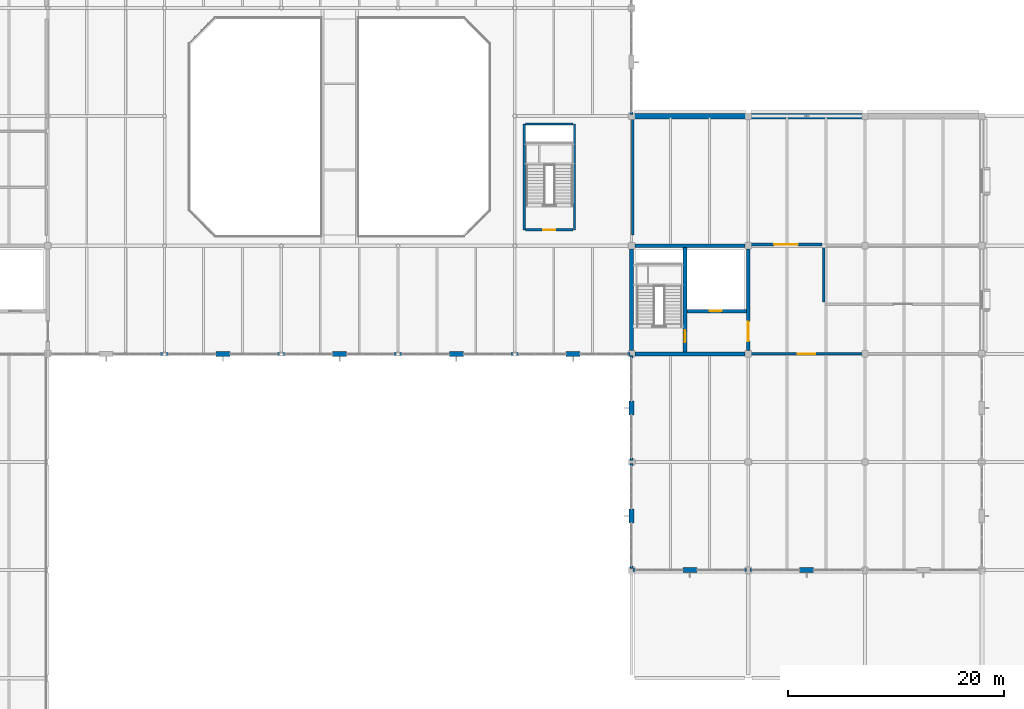
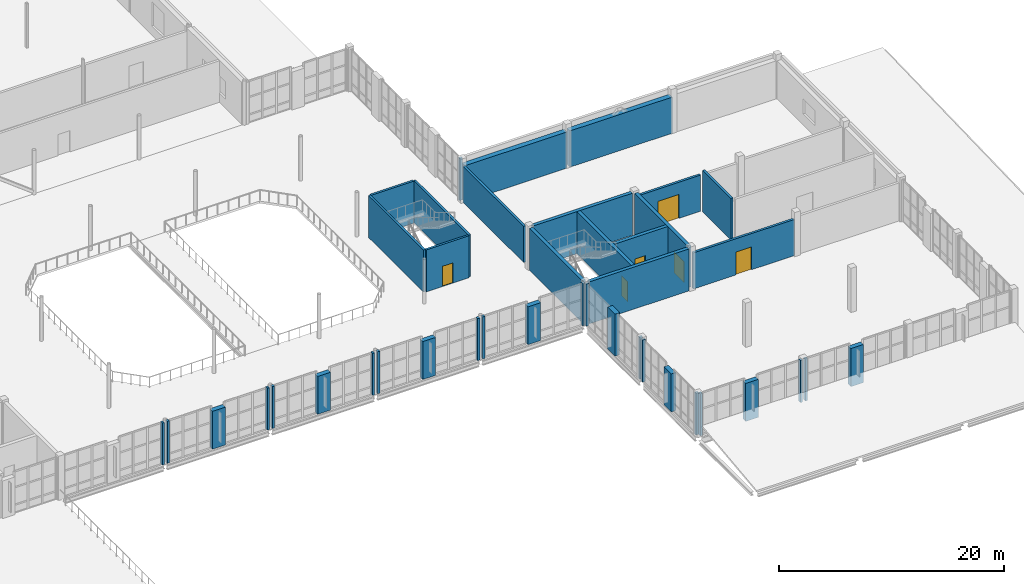
# One storey, part 85 of 100: 41 walls, 6 doors, 6 openings.
"""IFC4 building model written with IfcOpenShell, lengths in metres."""

from ifc_helpers import new_model, si_unit, direction, frame, frame_2d, origin, place, context, subcontext, project, spatial, rectangle, extrude, material, layer, layer_set, type_object, element, fill, save


model = new_model("IFC4")

# Units and contexts
model_context = context("Model", 3, precision=1e-05, world=origin(), true_north=direction((0.0, 1.0)))
body_context = subcontext(model_context, "Body", "Model", "MODEL_VIEW")
ifc_project = project(units=[si_unit("LENGTHUNIT", "METRE"), si_unit("AREAUNIT", "SQUARE_METRE"), si_unit("VOLUMEUNIT", "CUBIC_METRE"), si_unit("PLANEANGLEUNIT", "RADIAN"), si_unit("MASSUNIT", "GRAM", prefix="KILO")], contexts=[model_context])

# Site, building, storey
site_placement = place(None, origin())
site = spatial("IfcSite", under=ifc_project, at=site_placement, CompositionType="ELEMENT")
building_placement = place(site_placement, origin())
building = spatial("IfcBuilding", under=site, at=building_placement, Name="Tasgan Crest Museum", CompositionType="ELEMENT")
storey_placement = place(building_placement, frame((0.0, 0.0, 9.60009765625)))
storey = spatial("IfcBuildingStorey", under=building, at=storey_placement, Name="L02", CompositionType="ELEMENT", Elevation=9.60009765625)

# Walls
ifc_material_1 = material(Name="Concrete C40/50", Category="concrete")
ifc_layer_1 = layer(ifc_material_1, 0.35009765625, Name="WL-CORE-350")
ifc_layer_set_1 = layer_set([ifc_layer_1], Name="Concrete C40/50")
wall_type_1 = type_object("IfcWallType", Name="WL-CORE-350", PredefinedType="SHEAR", material=ifc_layer_set_1)
for number, where, z_axis, x_axis, name in (
    (1, (108.300048828125, 40.0, 0.0), (0.0, 0.0, 1.0), (1.0, 0.0, 0.0), "East Conservation Core south shear wall L02"),
    (2, (108.300048828125, 50.0, 0.0), (0.0, 0.0, 1.0), (1.0, 0.0, 0.0), "East Conservation Core north shear wall L02"),
):
    element("IfcWall", number, at=place(storey_placement, frame(where, z_axis=z_axis, x_axis=x_axis)), inside=storey, type_object=wall_type_1, Name=name, PredefinedType="SHEAR", context=body_context, shape_type="SweptSolid", body=[
        extrude(rectangle(XDim=10.199951171875, YDim=0.35009765625, at=frame_2d((5.10009765625, 0.0))), origin(), (0.0, 0.0, 1.0), 4.559814453125),
    ])
wall_1_placement = place(storey_placement, frame((108.0, 40.300048828125, 0.0), z_axis=(0.0, 0.0, 1.0), x_axis=(0.0, 1.0, 0.0)))
element("IfcWall", 3, at=wall_1_placement, inside=storey, type_object=wall_type_1, Name="East Conservation Core west shear wall L02", PredefinedType="SHEAR", context=body_context, shape_type="SweptSolid", body=[
    extrude(rectangle(XDim=9.39990234375, YDim=0.35009765625, at=frame_2d((4.699951171875, 0.0))), origin(), (0.0, 0.0, 1.0), 4.559814453125),
])

# Wall, opening, door
wall_2_placement = place(storey_placement, frame((118.800048828125, 40.300048828125, 0.0), z_axis=(0.0, 0.0, 1.0), x_axis=(0.0, 1.0, 0.0)))
wall_2 = element("IfcWall", 4, at=wall_2_placement, inside=storey, type_object=wall_type_1, Name="East Conservation Core east shear wall L02", PredefinedType="SHEAR", context=body_context, shape_type="SweptSolid", body=[
    extrude(rectangle(XDim=9.39990234375, YDim=0.35009765625, at=frame_2d((4.699951171875, 0.0))), origin(), (0.0, 0.0, 1.0), 4.559814453125),
])
opening_1_placement = place(wall_2_placement, frame((0.8798828125, 0.0, 0.0)))
opening_1 = element("IfcOpeningElement", 5, at=opening_1_placement, cuts=wall_2, Name="Opening LD-SE-L02", PredefinedType="OPENING", context=body_context, shape_type="SweptSolid", body=[
    extrude(rectangle(XDim=1.800048828125, YDim=2.25, at=frame_2d((0.89990234375, 1.125))), frame((0.0, 0.18505859375, 0.0), z_axis=(0.0, -1.0, 0.0), x_axis=(1.0, 0.0, 0.0)), (0.0, 0.0, 1.0), 0.3701171875),
])
ifc_material_2 = material(Name="Fire-Rated Double Lobby Door")
door_type_1 = type_object("IfcDoorType", Name="DR-FD2-1800", OperationType="NOTDEFINED", PredefinedType="DOOR", material=ifc_material_2)
door_1_placement = place(opening_1_placement, origin())
door_1 = element("IfcDoor", 6, at=door_1_placement, inside=storey, type_object=door_type_1, Name="East Conservation Core lobby door L02", OperationType="DOUBLE_DOOR_SINGLE_SWING", OverallHeight=2.25, OverallWidth=1.800048828125, PredefinedType="DOOR", context=body_context, shape_type="SweptSolid", body=[
    extrude(rectangle(XDim=1.800048828125, YDim=2.25, at=frame_2d((0.89990234375, 1.125))), frame((0.0, 0.02490234375, 0.0), z_axis=(0.0, -1.0, 0.0), x_axis=(1.0, 0.0, 0.0)), (0.0, 0.0, 1.0), 0.050048828125),
])
fill(opening_1, door_1)

wall_3_placement = place(storey_placement, frame((112.949951171875, 40.175048828125, 0.0), z_axis=(0.0, 0.0, 1.0), x_axis=(0.0, 1.0, 0.0)))
wall_3 = element("IfcWall", 7, at=wall_3_placement, inside=storey, type_object=wall_type_1, Name="East Conservation Core stair-lobby shear wall L02", PredefinedType="SHEAR", context=body_context, shape_type="SweptSolid", body=[
    extrude(rectangle(XDim=9.64990234375, YDim=0.35009765625, at=frame_2d((4.824951171875, 0.0))), origin(), (0.0, 0.0, 1.0), 4.559814453125),
])
opening_2_placement = place(wall_3_placement, frame((0.89990234375, 0.0, 0.0)))
opening_2 = element("IfcOpeningElement", 8, at=opening_2_placement, cuts=wall_3, Name="Opening SD-SE-L02", PredefinedType="OPENING", context=body_context, shape_type="SweptSolid", body=[
    extrude(rectangle(XDim=1.10009765625, YDim=2.199951171875, at=frame_2d((0.550048828125, 1.10009765625))), frame((0.0, 0.18505859375, 0.0), z_axis=(0.0, -1.0, 0.0), x_axis=(1.0, 0.0, 0.0)), (0.0, 0.0, 1.0), 0.3701171875),
])
ifc_material_3 = material(Name="Fire-Rated Steel Door", Category="steel")
door_type_2 = type_object("IfcDoorType", Name="DR-FD1-1100", OperationType="NOTDEFINED", PredefinedType="DOOR", material=ifc_material_3)
door_2_placement = place(opening_2_placement, origin())
door_2 = element("IfcDoor", 9, at=door_2_placement, inside=storey, type_object=door_type_2, Name="East Conservation Core stair door L02", OperationType="SINGLE_SWING_LEFT", OverallHeight=2.199951171875, OverallWidth=1.10009765625, PredefinedType="DOOR", context=body_context, shape_type="SweptSolid", body=[
    extrude(rectangle(XDim=1.10009765625, YDim=2.199951171875, at=frame_2d((0.550048828125, 1.10009765625))), frame((0.0, 0.02490234375, 0.0), z_axis=(0.0, -1.0, 0.0), x_axis=(1.0, 0.0, 0.0)), (0.0, 0.0, 1.0), 0.050048828125),
])
fill(opening_2, door_2)

wall_4_placement = place(storey_placement, frame((113.1298828125, 43.949951171875, 0.0), z_axis=(0.0, 0.0, 1.0), x_axis=(1.0, 0.0, 0.0)))
wall_4 = element("IfcWall", 10, at=wall_4_placement, inside=storey, type_object=wall_type_1, Name="East Conservation Core lift-shaft wall L02", PredefinedType="SHEAR", context=body_context, shape_type="SweptSolid", body=[
    extrude(rectangle(XDim=5.490234375, YDim=0.35009765625, at=frame_2d((2.7451171875, 0.0))), origin(), (0.0, 0.0, 1.0), 4.559814453125),
])
opening_3_placement = place(wall_4_placement, frame((2.10009765625, 0.0, 0.0)))
opening_3 = element("IfcOpeningElement", 11, at=opening_3_placement, cuts=wall_4, Name="Opening LD-PL2", PredefinedType="OPENING", context=body_context, shape_type="SweptSolid", body=[
    extrude(rectangle(XDim=1.10009765625, YDim=2.199951171875, at=frame_2d((0.550048828125, 1.10009765625))), frame((0.0, 0.18505859375, 0.0), z_axis=(0.0, -1.0, 0.0), x_axis=(1.0, 0.0, 0.0)), (0.0, 0.0, 1.0), 0.3701171875),
])
ifc_material_4 = material(Name="Brushed Bronze Passenger Lift Landing Door")
door_type_3 = type_object("IfcDoorType", Name="LD-PAX-1100", OperationType="NOTDEFINED", PredefinedType="DOOR", material=ifc_material_4)
door_3_placement = place(opening_3_placement, origin())
door_3 = element("IfcDoor", 12, at=door_3_placement, inside=storey, type_object=door_type_3, Name="Lift landing sliding door PL2 L02", OperationType="DOUBLE_DOOR_SLIDING", OverallHeight=2.199951171875, OverallWidth=1.10009765625, PredefinedType="DOOR", context=body_context, shape_type="SweptSolid", body=[
    extrude(rectangle(XDim=1.10009765625, YDim=2.199951171875, at=frame_2d((0.550048828125, 1.10009765625))), frame((0.0, 0.02490234375, 0.0), z_axis=(0.0, -1.0, 0.0), x_axis=(1.0, 0.0, 0.0)), (0.0, 0.0, 1.0), 0.050048828125),
])
fill(opening_3, door_3)

# Walls
ifc_material_5 = material(Name="Precast concrete C40/50", Category="concrete")
ifc_layer_2 = layer(ifc_material_5, 0.320068359375, Name="WL-EXT-CLER-320")
ifc_layer_set_2 = layer_set([ifc_layer_2], Name="Precast concrete C40/50")
wall_type_2 = type_object("IfcWallType", Name="WL-EXT-CLER-320", PredefinedType="STANDARD", material=ifc_layer_set_2)
for number, where, z_axis, x_axis, name in (
    (13, (108.0, 39.85498046875, 0.0), (0.0, 0.0, 1.0), (0.0, -1.0, 0.0), "Curtain wall jamb closure L02 JL"),
    (14, (108.0, 30.3701171875, 0.0), (0.0, 0.0, 1.0), (0.0, -1.0, 0.0), "Curtain wall jamb closure L02 JR"),
    (15, (108.0, 29.85498046875, 0.0), (0.0, 0.0, 1.0), (0.0, -1.0, 0.0), "Curtain wall jamb closure L02 JL"),
    (16, (108.0, 20.3701171875, 0.0), (0.0, 0.0, 1.0), (0.0, -1.0, 0.0), "Curtain wall jamb closure L02 JR"),
    (17, (108.14501953125, 20.0, 0.0), (0.0, 0.0, 1.0), (1.0, 0.0, 0.0), "Curtain wall jamb closure L02 JL"),
    (18, (118.429931640625, 20.0, 0.0), (0.0, 0.0, 1.0), (1.0, 0.0, 0.0), "Curtain wall jamb closure L02 JR"),
):
    element("IfcWall", number, at=place(storey_placement, frame(where, z_axis=z_axis, x_axis=x_axis)), inside=storey, type_object=wall_type_2, Name=name, PredefinedType="STANDARD", context=body_context, shape_type="SweptSolid", body=[
        extrude(rectangle(XDim=0.22509765625, YDim=0.300048828125, at=frame_2d((0.112548828125, 0.0))), origin(), (0.0, 0.0, 1.0), 4.559814453125),
    ])
wall_5_placement = place(storey_placement, frame((118.945068359375, 20.0, 0.0), z_axis=(0.0, 0.0, 1.0), x_axis=(1.0, 0.0, 0.0)))
element("IfcWall", 19, at=wall_5_placement, inside=storey, type_object=wall_type_2, Name="Curtain wall jamb closure L02 JL", PredefinedType="STANDARD", context=body_context, shape_type="SweptSolid", body=[
    extrude(rectangle(XDim=0.224853515625, YDim=0.300048828125, at=frame_2d((0.1123046875, 0.0))), origin(), (0.0, 0.0, 1.0), 4.559814453125),
])
for number, where, z_axis, x_axis, name in (
    (20, (108.0, 62.14501953125, 0.0), (0.0, 0.0, 1.0), (0.0, 1.0, 0.0), "Curtain wall jamb closure L02 JL"),
    (21, (64.429931640625, 40.0, 0.0), (0.0, 0.0, 1.0), (1.0, 0.0, 0.0), "Curtain wall jamb closure L02 JR"),
):
    element("IfcWall", number, at=place(storey_placement, frame(where, z_axis=z_axis, x_axis=x_axis)), inside=storey, type_object=wall_type_2, Name=name, PredefinedType="STANDARD", context=body_context, shape_type="SweptSolid", body=[
        extrude(rectangle(XDim=0.22509765625, YDim=0.300048828125, at=frame_2d((0.112548828125, 0.0))), origin(), (0.0, 0.0, 1.0), 4.559814453125),
    ])
wall_6_placement = place(storey_placement, frame((64.945068359375, 40.0, 0.0), z_axis=(0.0, 0.0, 1.0), x_axis=(1.0, 0.0, 0.0)))
element("IfcWall", 22, at=wall_6_placement, inside=storey, type_object=wall_type_2, Name="Curtain wall jamb closure L02 JL", PredefinedType="STANDARD", context=body_context, shape_type="SweptSolid", body=[
    extrude(rectangle(XDim=0.224853515625, YDim=0.300048828125, at=frame_2d((0.1123046875, 0.0))), origin(), (0.0, 0.0, 1.0), 4.559814453125),
])
wall_7_placement = place(storey_placement, frame((75.22998046875, 40.0, 0.0), z_axis=(0.0, 0.0, 1.0), x_axis=(1.0, 0.0, 0.0)))
element("IfcWall", 23, at=wall_7_placement, inside=storey, type_object=wall_type_2, Name="Curtain wall jamb closure L02 JR", PredefinedType="STANDARD", context=body_context, shape_type="SweptSolid", body=[
    extrude(rectangle(XDim=0.22509765625, YDim=0.300048828125, at=frame_2d((0.112548828125, 0.0))), origin(), (0.0, 0.0, 1.0), 4.559814453125),
])
for number, where, z_axis, x_axis, name in (
    (24, (75.7451171875, 40.0, 0.0), (0.0, 0.0, 1.0), (1.0, 0.0, 0.0), "Curtain wall jamb closure L02 JL"),
    (25, (86.030029296875, 40.0, 0.0), (0.0, 0.0, 1.0), (1.0, 0.0, 0.0), "Curtain wall jamb closure L02 JR"),
):
    element("IfcWall", number, at=place(storey_placement, frame(where, z_axis=z_axis, x_axis=x_axis)), inside=storey, type_object=wall_type_2, Name=name, PredefinedType="STANDARD", context=body_context, shape_type="SweptSolid", body=[
        extrude(rectangle(XDim=0.224853515625, YDim=0.300048828125, at=frame_2d((0.1123046875, 0.0))), origin(), (0.0, 0.0, 1.0), 4.559814453125),
    ])
wall_8_placement = place(storey_placement, frame((86.544921875, 40.0, 0.0), z_axis=(0.0, 0.0, 1.0), x_axis=(1.0, 0.0, 0.0)))
element("IfcWall", 26, at=wall_8_placement, inside=storey, type_object=wall_type_2, Name="Curtain wall jamb closure L02 JL", PredefinedType="STANDARD", context=body_context, shape_type="SweptSolid", body=[
    extrude(rectangle(XDim=0.22509765625, YDim=0.300048828125, at=frame_2d((0.112548828125, 0.0))), origin(), (0.0, 0.0, 1.0), 4.559814453125),
])
wall_9_placement = place(storey_placement, frame((96.830078125, 40.0, 0.0), z_axis=(0.0, 0.0, 1.0), x_axis=(1.0, 0.0, 0.0)))
element("IfcWall", 27, at=wall_9_placement, inside=storey, type_object=wall_type_2, Name="Curtain wall jamb closure L02 JR", PredefinedType="STANDARD", context=body_context, shape_type="SweptSolid", body=[
    extrude(rectangle(XDim=0.224853515625, YDim=0.300048828125, at=frame_2d((0.1123046875, 0.0))), origin(), (0.0, 0.0, 1.0), 4.559814453125),
])
for number, where, z_axis, x_axis, name in (
    (28, (97.344970703125, 40.0, 0.0), (0.0, 0.0, 1.0), (1.0, 0.0, 0.0), "Curtain wall jamb closure L02 JL"),
    (29, (107.6298828125, 40.0, 0.0), (0.0, 0.0, 1.0), (1.0, 0.0, 0.0), "Curtain wall jamb closure L02 JR"),
):
    element("IfcWall", number, at=place(storey_placement, frame(where, z_axis=z_axis, x_axis=x_axis)), inside=storey, type_object=wall_type_2, Name=name, PredefinedType="STANDARD", context=body_context, shape_type="SweptSolid", body=[
        extrude(rectangle(XDim=0.22509765625, YDim=0.300048828125, at=frame_2d((0.112548828125, 0.0))), origin(), (0.0, 0.0, 1.0), 4.559814453125),
    ])
ifc_material_6 = material(Name="Precast concrete C40/50", Category="concrete")
ifc_layer_3 = layer(ifc_material_6, 0.47998046875, Name="WL-EXT-GRAN-480")
ifc_layer_set_3 = layer_set([ifc_layer_3], Name="Precast concrete C40/50")
wall_type_3 = type_object("IfcWallType", Name="WL-EXT-GRAN-480", PredefinedType="STANDARD", material=ifc_layer_set_3)
wall_10_placement = place(storey_placement, frame((108.0, 35.64990234375, 0.0), z_axis=(0.0, 0.0, 1.0), x_axis=(0.0, -1.0, 0.0)))
element("IfcWall", 30, at=wall_10_placement, inside=storey, type_object=wall_type_3, Name="Postmodern facade stone pier L02", PredefinedType="STANDARD", context=body_context, shape_type="SweptSolid", body=[
    extrude(rectangle(XDim=1.2998046875, YDim=0.47998046875, at=frame_2d((0.64990234375, 0.0))), origin(), (0.0, 0.0, 1.0), 4.559814453125),
])
wall_11_placement = place(storey_placement, frame((108.0, 25.64990234375, 0.0), z_axis=(0.0, 0.0, 1.0), x_axis=(0.0, -1.0, 0.0)))
element("IfcWall", 31, at=wall_11_placement, inside=storey, type_object=wall_type_3, Name="Postmodern facade stone pier L02", PredefinedType="STANDARD", context=body_context, shape_type="SweptSolid", body=[
    extrude(rectangle(XDim=1.2998046875, YDim=0.47998046875, at=frame_2d((0.64990234375, 0.0))), origin(), (0.0, 0.0, 1.0), 4.1298828125),
])
for number, where, z_axis, x_axis, name in (
    (32, (112.75, 20.0, 0.0), (0.0, 0.0, 1.0), (1.0, 0.0, 0.0), "Postmodern facade stone pier L02"),
    (33, (123.550048828125, 20.0, 0.0), (0.0, 0.0, 1.0), (1.0, 0.0, 0.0), "Postmodern facade stone pier L02"),
):
    element("IfcWall", number, at=place(storey_placement, frame(where, z_axis=z_axis, x_axis=x_axis)), inside=storey, type_object=wall_type_3, Name=name, PredefinedType="STANDARD", context=body_context, shape_type="SweptSolid", body=[
        extrude(rectangle(XDim=1.300048828125, YDim=0.47998046875, at=frame_2d((0.64990234375, 0.0))), origin(), (0.0, 0.0, 1.0), 4.1298828125),
    ])
wall_12_placement = place(storey_placement, frame((69.550048828125, 40.0, 0.0), z_axis=(0.0, 0.0, 1.0), x_axis=(1.0, 0.0, 0.0)))
element("IfcWall", 34, at=wall_12_placement, inside=storey, type_object=wall_type_3, Name="Postmodern facade stone pier L02", PredefinedType="STANDARD", context=body_context, shape_type="SweptSolid", body=[
    extrude(rectangle(XDim=1.300048828125, YDim=0.47998046875, at=frame_2d((0.64990234375, 0.0))), origin(), (0.0, 0.0, 1.0), 4.10986328125),
])
wall_13_placement = place(storey_placement, frame((80.35009765625, 40.0, 0.0), z_axis=(0.0, 0.0, 1.0), x_axis=(1.0, 0.0, 0.0)))
element("IfcWall", 35, at=wall_13_placement, inside=storey, type_object=wall_type_3, Name="Postmodern facade stone pier L02", PredefinedType="STANDARD", context=body_context, shape_type="SweptSolid", body=[
    extrude(rectangle(XDim=1.2998046875, YDim=0.47998046875, at=frame_2d((0.64990234375, 0.0))), origin(), (0.0, 0.0, 1.0), 4.10986328125),
])
for number, where, z_axis, x_axis, name in (
    (36, (91.14990234375, 40.0, 0.0), (0.0, 0.0, 1.0), (1.0, 0.0, 0.0), "Postmodern facade stone pier L02"),
    (37, (101.949951171875, 40.0, 0.0), (0.0, 0.0, 1.0), (1.0, 0.0, 0.0), "Postmodern facade stone pier L02"),
):
    element("IfcWall", number, at=place(storey_placement, frame(where, z_axis=z_axis, x_axis=x_axis)), inside=storey, type_object=wall_type_3, Name=name, PredefinedType="STANDARD", context=body_context, shape_type="SweptSolid", body=[
        extrude(rectangle(XDim=1.300048828125, YDim=0.47998046875, at=frame_2d((0.64990234375, 0.0))), origin(), (0.0, 0.0, 1.0), 4.10986328125),
    ])
ifc_material_7 = material(Name="Concrete C40/50", Category="concrete")
ifc_layer_4 = layer(ifc_material_7, 0.52001953125, Name="WL-EXT-VAULT-520")
ifc_layer_set_4 = layer_set([ifc_layer_4], Name="Concrete C40/50")
wall_type_4 = type_object("IfcWallType", Name="WL-EXT-VAULT-520", PredefinedType="SOLIDWALL", material=ifc_layer_set_4)
for number, where, z_axis, x_axis, name in (
    (38, (129.455078125, 62.0, 0.0), (0.0, 0.0, 1.0), (-1.0, 0.0, 0.0), "Exterior wall L02 (124.2,62.0)"),
    (39, (118.655029296875, 62.0, 0.0), (0.0, 0.0, 1.0), (-1.0, 0.0, 0.0), "Exterior wall L02 (113.4,62.0)"),
):
    element("IfcWall", number, at=place(storey_placement, frame(where, z_axis=z_axis, x_axis=x_axis)), inside=storey, type_object=wall_type_4, Name=name, PredefinedType="SOLIDWALL", context=body_context, shape_type="SweptSolid", body=[
        extrude(rectangle(XDim=10.510009765625, YDim=0.52001953125, at=frame_2d((5.2548828125, 0.0))), origin(), (0.0, 0.0, 1.0), 3.928955078125),
    ])

# Wall, opening, door
ifc_material_8 = material(Name="Concrete C40/50", Category="concrete")
ifc_layer_5 = layer(ifc_material_8, 0.239990234375, Name="WL-FIRE-240")
ifc_layer_set_5 = layer_set([ifc_layer_5], Name="Concrete C40/50")
wall_type_5 = type_object("IfcWallType", Name="WL-FIRE-240", PredefinedType="SOLIDWALL", material=ifc_layer_set_5)
wall_14_placement = place(storey_placement, frame((118.97998046875, 40.0, 0.0), z_axis=(0.0, 0.0, 1.0), x_axis=(1.0, 0.0, 0.0)))
wall_14 = element("IfcWall", 40, at=wall_14_placement, inside=storey, type_object=wall_type_5, Name="Partition Osteology Conservation Laboratory / Second Floor Vault Corridor L02", PredefinedType="SOLIDWALL", context=body_context, shape_type="SweptSolid", body=[
    extrude(rectangle(XDim=10.419921875, YDim=0.239990234375, at=frame_2d((5.2099609375, 0.0))), origin(), (0.0, 0.0, 1.0), 3.928955078125),
])
opening_4_placement = place(wall_14_placement, frame((4.419921875, 0.0, 0.0)))
opening_4 = element("IfcOpeningElement", 41, at=opening_4_placement, cuts=wall_14, Name="Opening D055", PredefinedType="OPENING", context=body_context, shape_type="SweptSolid", body=[
    extrude(rectangle(XDim=1.580078125, YDim=2.47998046875, at=frame_2d((0.7900390625, 1.239990234375))), frame((0.0, 0.1298828125, 0.0), z_axis=(0.0, -1.0, 0.0), x_axis=(1.0, 0.0, 0.0)), (0.0, 0.0, 1.0), 0.260009765625),
])
ifc_material_9 = material(Name="Oak and Brushed Bronze Acoustic Door")
door_type_4 = type_object("IfcDoorType", Name="DR-SCH-27", OperationType="NOTDEFINED", PredefinedType="DOOR", material=ifc_material_9)
door_4_placement = place(opening_4_placement, origin())
door_4 = element("IfcDoor", 42, at=door_4_placement, inside=storey, type_object=door_type_4, Name="Osteology Conservation Laboratory door D055", OperationType="SINGLE_SWING_RIGHT", OverallHeight=2.47998046875, OverallWidth=1.580078125, PredefinedType="DOOR", context=body_context, shape_type="SweptSolid", body=[
    extrude(rectangle(XDim=1.580078125, YDim=2.47998046875, at=frame_2d((0.7900390625, 1.239990234375))), frame((0.0, 0.02490234375, 0.0), z_axis=(0.0, -1.0, 0.0), x_axis=(1.0, 0.0, 0.0)), (0.0, 0.0, 1.0), 0.050048828125),
])
fill(opening_4, door_4)

wall_15_placement = place(storey_placement, frame((118.97998046875, 50.125, 0.0), z_axis=(0.0, 0.0, 1.0), x_axis=(1.0, 0.0, 0.0)))
wall_15 = element("IfcWall", 43, at=wall_15_placement, inside=storey, type_object=wall_type_5, Name="Partition Second Floor Archive Vestibule / Compact Mobile Specimen Archive 201 L02", PredefinedType="SOLIDWALL", context=body_context, shape_type="SweptSolid", body=[
    extrude(rectangle(XDim=6.6201171875, YDim=0.239990234375, at=frame_2d((3.31005859375, 0.0))), origin(), (0.0, 0.0, 1.0), 3.928955078125),
])
opening_5_placement = place(wall_15_placement, frame((2.2099609375, 0.0, 0.0)))
opening_5 = element("IfcOpeningElement", 44, at=opening_5_placement, cuts=wall_15, Name="Opening D058", PredefinedType="OPENING", context=body_context, shape_type="SweptSolid", body=[
    extrude(rectangle(XDim=2.199951171875, YDim=2.60009765625, at=frame_2d((1.10009765625, 1.300048828125))), frame((0.0, 0.1298828125, 0.0), z_axis=(0.0, -1.0, 0.0), x_axis=(1.0, 0.0, 0.0)), (0.0, 0.0, 1.0), 0.260009765625),
])
ifc_material_10 = material(Name="Double Specimen Vault Door")
door_type_5 = type_object("IfcDoorType", Name="DR-VAULT-2200", OperationType="NOTDEFINED", PredefinedType="DOOR", material=ifc_material_10)
door_5_placement = place(opening_5_placement, origin())
door_5 = element("IfcDoor", 45, at=door_5_placement, inside=storey, type_object=door_type_5, Name="Compact Mobile Specimen Archive 201 door D058", OperationType="DOUBLE_DOOR_SINGLE_SWING", OverallHeight=2.60009765625, OverallWidth=2.199951171875, PredefinedType="DOOR", context=body_context, shape_type="SweptSolid", body=[
    extrude(rectangle(XDim=2.199951171875, YDim=2.60009765625, at=frame_2d((1.10009765625, 1.300048828125))), frame((0.0, 0.02490234375, 0.0), z_axis=(0.0, -1.0, 0.0), x_axis=(1.0, 0.0, 0.0)), (0.0, 0.0, 1.0), 0.050048828125),
])
fill(opening_5, door_5)

# Walls
wall_16_placement = place(storey_placement, frame((108.10009765625, 51.0, 0.0), z_axis=(0.0, 0.0, 1.0), x_axis=(0.0, 1.0, 0.0)))
element("IfcWall", 46, at=wall_16_placement, inside=storey, type_object=wall_type_5, Name="Partition Second Floor East Atrium Balcony / Compact Mobile Specimen Archive 201 L02", PredefinedType="SOLIDWALL", context=body_context, shape_type="SweptSolid", body=[
    extrude(rectangle(XDim=10.820068359375, YDim=0.239990234375, at=frame_2d((5.41015625, 0.0))), origin(), (0.0, 0.0, 1.0), 3.919921875),
])
wall_17_placement = place(storey_placement, frame((125.800048828125, 44.800048828125, 0.0), z_axis=(0.0, 0.0, 1.0), x_axis=(0.0, 1.0, 0.0)))
element("IfcWall", 47, at=wall_17_placement, inside=storey, type_object=wall_type_5, Name="Partition Second Floor Archive Vestibule / Taxonomy Specimen Study 202 L02", PredefinedType="SOLIDWALL", context=body_context, shape_type="SweptSolid", body=[
    extrude(rectangle(XDim=5.02001953125, YDim=0.239990234375, at=frame_2d((2.510009765625, 0.0))), origin(), (0.0, 0.0, 1.0), 4.52001953125),
])
ifc_material_11 = material(Name="Concrete C40/50", Category="concrete")
ifc_layer_6 = layer(ifc_material_11, 0.219970703125, Name="WL-SHAFT-220")
ifc_layer_set_6 = layer_set([ifc_layer_6], Name="Concrete C40/50")
wall_type_6 = type_object("IfcWallType", Name="WL-SHAFT-220", PredefinedType="SHEAR", material=ifc_layer_set_6)
for number, where, z_axis, x_axis, name in (
    (48, (98.080078125, 51.47998046875, 0.0), (0.0, 0.0, 1.0), (0.0, 1.0, 0.0), "ATRIUM stairwell wall L02 W"),
    (49, (102.719970703125, 51.47998046875, 0.0), (0.0, 0.0, 1.0), (0.0, 1.0, 0.0), "ATRIUM stairwell wall L02 E"),
):
    element("IfcWall", number, at=place(storey_placement, frame(where, z_axis=z_axis, x_axis=x_axis)), inside=storey, type_object=wall_type_6, Name=name, PredefinedType="SHEAR", context=body_context, shape_type="SweptSolid", body=[
        extrude(rectangle(XDim=9.7900390625, YDim=0.219970703125, at=frame_2d((4.89501953125, 0.0))), origin(), (0.0, 0.0, 1.0), 4.559814453125),
    ])
wall_18_placement = place(storey_placement, frame((98.199951171875, 61.27001953125, 0.0), z_axis=(0.0, 0.0, 1.0), x_axis=(1.0, 0.0, 0.0)))
element("IfcWall", 50, at=wall_18_placement, inside=storey, type_object=wall_type_6, Name="ATRIUM stairwell wall L02 N", PredefinedType="SHEAR", context=body_context, shape_type="SweptSolid", body=[
    extrude(rectangle(XDim=4.400146484375, YDim=0.219970703125, at=frame_2d((2.2001953125, 0.0))), origin(), (0.0, 0.0, 1.0), 4.559814453125),
])

# Wall, opening, door
wall_19_placement = place(storey_placement, frame((98.199951171875, 51.47998046875, 0.0), z_axis=(0.0, 0.0, 1.0), x_axis=(1.0, 0.0, 0.0)))
wall_19 = element("IfcWall", 51, at=wall_19_placement, inside=storey, type_object=wall_type_6, Name="ATRIUM stairwell wall L02 S", PredefinedType="SHEAR", context=body_context, shape_type="SweptSolid", body=[
    extrude(rectangle(XDim=4.400146484375, YDim=0.219970703125, at=frame_2d((2.2001953125, 0.0))), origin(), (0.0, 0.0, 1.0), 4.559814453125),
])
opening_6_placement = place(wall_19_placement, frame((1.64990234375, 0.0, 0.0)))
opening_6 = element("IfcOpeningElement", 52, at=opening_6_placement, cuts=wall_19, Name="Opening SD-AT-L02", PredefinedType="OPENING", context=body_context, shape_type="SweptSolid", body=[
    extrude(rectangle(XDim=1.10009765625, YDim=2.199951171875, at=frame_2d((0.550048828125, 1.10009765625))), frame((0.0, 0.119873046875, 0.0), z_axis=(0.0, -1.0, 0.0), x_axis=(1.0, 0.0, 0.0)), (0.0, 0.0, 1.0), 0.239990234375),
])
door_6_placement = place(opening_6_placement, origin())
door_6 = element("IfcDoor", 53, at=door_6_placement, inside=storey, type_object=door_type_2, Name="ATRIUM protected stair door L02", OperationType="SINGLE_SWING_LEFT", OverallHeight=2.199951171875, OverallWidth=1.10009765625, PredefinedType="DOOR", context=body_context, shape_type="SweptSolid", body=[
    extrude(rectangle(XDim=1.10009765625, YDim=2.199951171875, at=frame_2d((0.550048828125, 1.10009765625))), frame((0.0, 0.02490234375, 0.0), z_axis=(0.0, -1.0, 0.0), x_axis=(1.0, 0.0, 0.0)), (0.0, 0.0, 1.0), 0.050048828125),
])
fill(opening_6, door_6)

save(model, "model.ifc")
